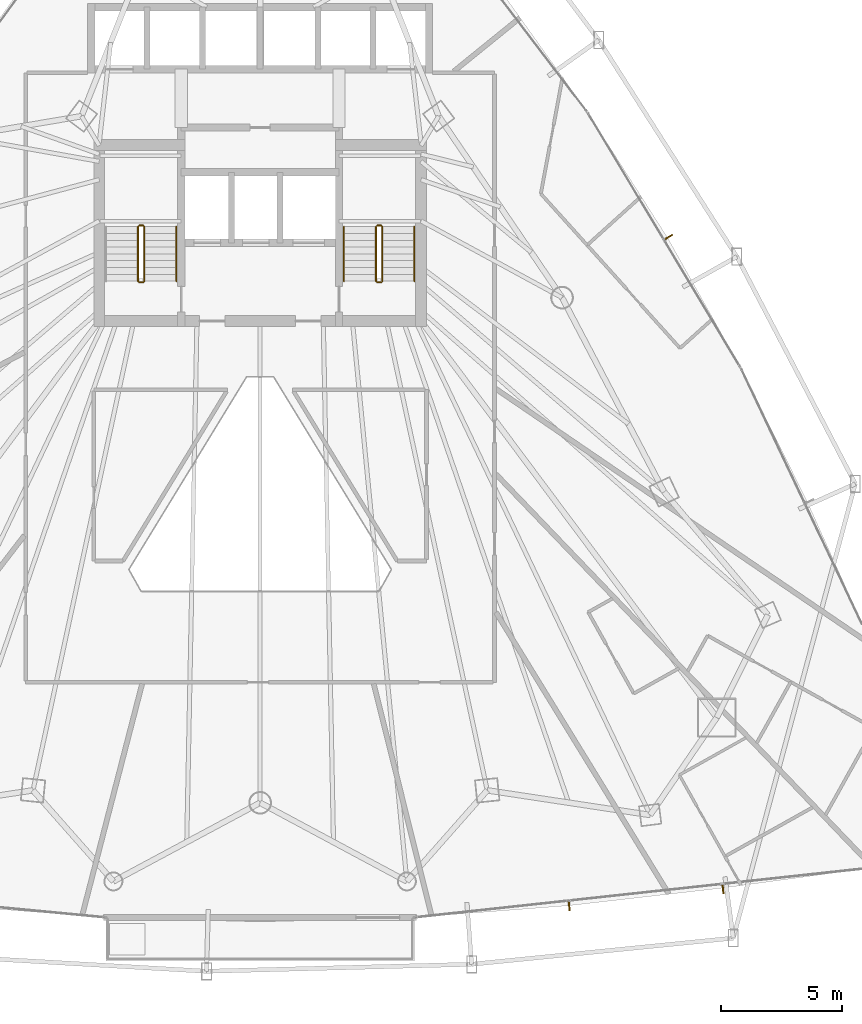
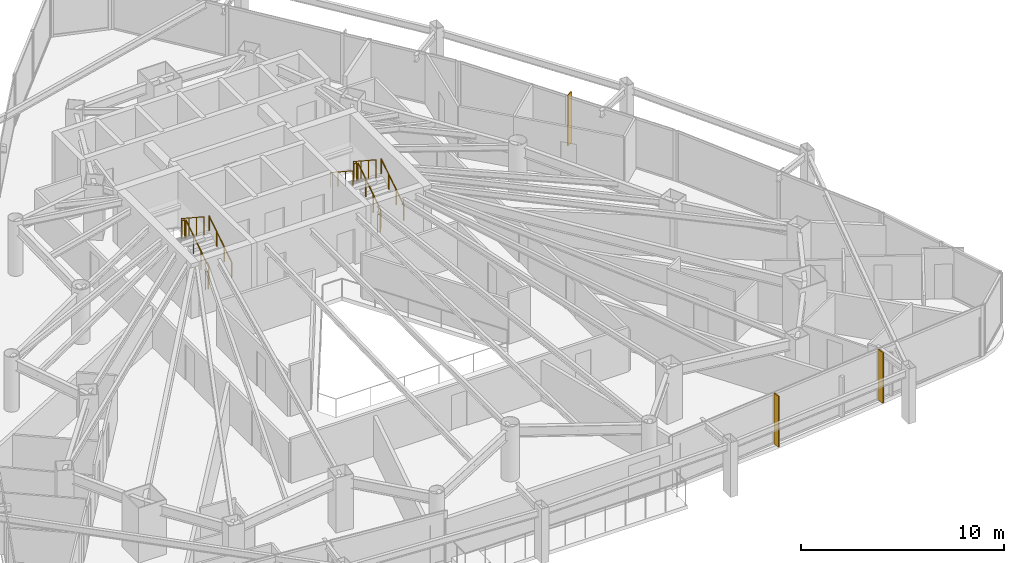
# One storey, part 33 of 34: 11 railings, 3 shading devices.
"""IFC4 building model written with IfcOpenShell, lengths in metres."""

from ifc_helpers import new_model, si_unit, direction, frame, origin, origin_2d, place, context, subcontext, project, spatial, rectangle, circle, extrude, material, layer, layer_set, type_object, element, save


model = new_model("IFC4")

# Units and contexts
model_context = context("Model", 3, precision=1e-05, world=origin(), true_north=direction((0.0, 1.0)))
body_context = subcontext(model_context, "Body", "Model", "MODEL_VIEW")
ifc_project = project(units=[si_unit("LENGTHUNIT", "METRE"), si_unit("AREAUNIT", "SQUARE_METRE"), si_unit("VOLUMEUNIT", "CUBIC_METRE"), si_unit("PLANEANGLEUNIT", "RADIAN"), si_unit("MASSUNIT", "GRAM", prefix="KILO")], contexts=[model_context])

# Site, building, storey
site_placement = place(None, origin())
site = spatial("IfcSite", under=ifc_project, at=site_placement, CompositionType="ELEMENT")
building_placement = place(site_placement, origin())
building = spatial("IfcBuilding", under=site, at=building_placement, Name="Orvanel Arch Residences", CompositionType="ELEMENT")
storey_placement = place(building_placement, frame((0.0, 0.0, 77.449951171875)))
storey = spatial("IfcBuildingStorey", under=building, at=storey_placement, Name="L21", CompositionType="ELEMENT", Elevation=77.449951171875)

# Shading devices
ifc_material_1 = material(Name="Bronze-anodised aluminium AA6063-T6", Category="aluminium")
ifc_layer = layer(ifc_material_1, 0.06005859375)
ifc_layer_set = layer_set([ifc_layer], Name="Bronze-anodised aluminium AA6063-T6")
shading_device_type = type_object("IfcShadingDeviceType", Name="FIN-BRZ-380", PredefinedType="USERDEFINED", material=ifc_layer_set)
for number, where, z_axis, x_axis, name in (
    (1, (45.72509765625, 2.593017578125, 0.0), (0.0, 0.0, 1.0), (0.107999355706, -0.994150963972, 0.0), "L21 Anodised Bronze Mullion FIN 01"),
    (2, (52.05908203125, 3.281982421875, 0.0), (0.0, 0.0, 1.0), (0.107999355706, -0.994150963972, 0.0), "L21 Anodised Bronze Mullion FIN 02"),
    (3, (49.818115234375, 30.133056640625, 0.0), (0.0, 0.0, 1.0), (0.857167300702, 0.51503807491, 0.0), "L21 Anodised Bronze Mullion FIN 01"),
):
    element("IfcShadingDevice", number, at=place(storey_placement, frame(where, z_axis=z_axis, x_axis=x_axis)), inside=storey, type_object=shading_device_type, Name=name, ObjectType="FIN", PredefinedType="USERDEFINED", context=body_context, shape_type="SweptSolid", body=[
        extrude(rectangle(XDim=0.3798828125, YDim=0.06005859375, at=origin_2d()), origin(), (0.0, 0.0, 1.0), 3.06005859375),
    ])

# Railings
ifc_material_2 = material(Name="Structural steel AS/NZS 1163 C350L0 (Grade 350)", Category="steel")
railing_type_1 = type_object("IfcRailingType", Name="RL-STAIR-GUARD", PredefinedType="GUARDRAIL", material=ifc_material_2)
railing_1_placement = place(storey_placement, frame((28.22998046875, 28.320068359375, 0.183349609375)))
element("IfcRailing", 4, at=railing_1_placement, inside=storey, type_object=railing_type_1, Name="L21 ST-1 stair guard 1", PredefinedType="GUARDRAIL", context=body_context, shape_type="SweptSolid", body=[
    extrude(circle(Radius=0.02392578125, at=origin_2d()), frame((0.0, 0.001220703125, 1.076904296875), z_axis=(0.0, 0.836595146698, 0.547821650285), x_axis=(-1.0, 0.0, 0.0)), (0.0, 0.0, 1.0), 2.674560546875),
    extrude(circle(Radius=0.02099609375, at=origin_2d()), origin(), (0.0, 0.0, 1.0), 1.050048828125),
    extrude(circle(Radius=0.02099609375, at=origin_2d()), frame((0.0, 0.74658203125, 0.489013671875)), (0.0, 0.0, 1.0), 1.050048828125),
    extrude(circle(Radius=0.02099609375, at=origin_2d()), frame((0.0, 1.493408203125, 0.977783203125)), (0.0, 0.0, 1.0), 1.050048828125),
    extrude(circle(Radius=0.02099609375, at=origin_2d()), frame((0.0, 2.239990234375, 1.466796875)), (0.0, 0.0, 1.0), 1.050048828125),
])
railing_2_placement = place(storey_placement, frame((28.179931640625, 30.610107421875, 1.650146484375)))
element("IfcRailing", 5, at=railing_2_placement, inside=storey, type_object=railing_type_1, Name="L21 ST-1 stair guard 2", PredefinedType="GUARDRAIL", context=body_context, shape_type="SweptSolid", body=[
    extrude(circle(Radius=0.02392578125, at=origin_2d()), frame((-0.00146484375, 0.0, 1.076171875), z_axis=(-1.0, 0.0, 0.0), x_axis=(0.0, -1.0, 0.0)), (0.0, 0.0, 1.0), 0.156982421875),
    extrude(circle(Radius=0.02099609375, at=origin_2d()), origin(), (0.0, 0.0, 1.0), 1.050048828125),
    extrude(circle(Radius=0.02099609375, at=origin_2d()), frame((-0.159912109375, 0.0, 0.0)), (0.0, 0.0, 1.0), 1.050048828125),
])
railing_3_placement = place(storey_placement, frame((27.969970703125, 30.56005859375, 1.83349609375)))
element("IfcRailing", 6, at=railing_3_placement, inside=storey, type_object=railing_type_1, Name="L21 ST-1 stair guard 3", PredefinedType="GUARDRAIL", context=body_context, shape_type="SweptSolid", body=[
    extrude(circle(Radius=0.02392578125, at=origin_2d()), frame((0.0, -0.001220703125, 1.076904296875), z_axis=(0.0, -0.836636935527, 0.547757827979), x_axis=(1.0, 0.0, 0.0)), (0.0, 0.0, 1.0), 2.67431640625),
    extrude(circle(Radius=0.02099609375, at=origin_2d()), origin(), (0.0, 0.0, 1.0), 1.050048828125),
    extrude(circle(Radius=0.02099609375, at=origin_2d()), frame((0.0, -0.74658203125, 0.48876953125)), (0.0, 0.0, 1.0), 1.050048828125),
    extrude(circle(Radius=0.02099609375, at=origin_2d()), frame((0.0, -1.493408203125, 0.977783203125)), (0.0, 0.0, 1.0), 1.050048828125),
    extrude(circle(Radius=0.02099609375, at=origin_2d()), frame((0.0, -2.239990234375, 1.466552734375)), (0.0, 0.0, 1.0), 1.050048828125),
])
railing_4_placement = place(storey_placement, frame((28.179931640625, 28.27001953125, 0.0)))
element("IfcRailing", 7, at=railing_4_placement, inside=storey, type_object=railing_type_1, Name="L21 ST-1 stair guard 4", PredefinedType="GUARDRAIL", context=body_context, shape_type="SweptSolid", body=[
    extrude(circle(Radius=0.02392578125, at=origin_2d()), frame((-0.00146484375, 0.0, 1.076171875), z_axis=(-1.0, 0.0, 0.0), x_axis=(0.0, -1.0, 0.0)), (0.0, 0.0, 1.0), 0.156982421875),
    extrude(circle(Radius=0.02099609375, at=origin_2d()), origin(), (0.0, 0.0, 1.0), 1.050048828125),
    extrude(circle(Radius=0.02099609375, at=origin_2d()), frame((-0.159912109375, 0.0, 0.0)), (0.0, 0.0, 1.0), 1.050048828125),
])
railing_5_placement = place(storey_placement, frame((38.030029296875, 28.320068359375, 0.183349609375)))
element("IfcRailing", 8, at=railing_5_placement, inside=storey, type_object=railing_type_1, Name="L21 ST-2 stair guard 1", PredefinedType="GUARDRAIL", context=body_context, shape_type="SweptSolid", body=[
    extrude(circle(Radius=0.02392578125, at=origin_2d()), frame((0.0, 0.001220703125, 1.076904296875), z_axis=(0.0, 0.836595146698, 0.547821650285), x_axis=(-1.0, 0.0, 0.0)), (0.0, 0.0, 1.0), 2.674560546875),
    extrude(circle(Radius=0.02099609375, at=origin_2d()), origin(), (0.0, 0.0, 1.0), 1.050048828125),
    extrude(circle(Radius=0.02099609375, at=origin_2d()), frame((0.0, 0.74658203125, 0.489013671875)), (0.0, 0.0, 1.0), 1.050048828125),
    extrude(circle(Radius=0.02099609375, at=origin_2d()), frame((0.0, 1.493408203125, 0.977783203125)), (0.0, 0.0, 1.0), 1.050048828125),
    extrude(circle(Radius=0.02099609375, at=origin_2d()), frame((0.0, 2.239990234375, 1.466796875)), (0.0, 0.0, 1.0), 1.050048828125),
])
railing_6_placement = place(storey_placement, frame((37.97998046875, 30.610107421875, 1.650146484375)))
element("IfcRailing", 9, at=railing_6_placement, inside=storey, type_object=railing_type_1, Name="L21 ST-2 stair guard 2", PredefinedType="GUARDRAIL", context=body_context, shape_type="SweptSolid", body=[
    extrude(circle(Radius=0.02392578125, at=origin_2d()), frame((-0.00146484375, 0.0, 1.076171875), z_axis=(-1.0, 0.0, 0.0), x_axis=(0.0, -1.0, 0.0)), (0.0, 0.0, 1.0), 0.156982421875),
    extrude(circle(Radius=0.02099609375, at=origin_2d()), origin(), (0.0, 0.0, 1.0), 1.050048828125),
    extrude(circle(Radius=0.02099609375, at=origin_2d()), frame((-0.159912109375, 0.0, 0.0)), (0.0, 0.0, 1.0), 1.050048828125),
])
railing_7_placement = place(storey_placement, frame((37.77001953125, 30.56005859375, 1.83349609375)))
element("IfcRailing", 10, at=railing_7_placement, inside=storey, type_object=railing_type_1, Name="L21 ST-2 stair guard 3", PredefinedType="GUARDRAIL", context=body_context, shape_type="SweptSolid", body=[
    extrude(circle(Radius=0.02392578125, at=origin_2d()), frame((0.0, -0.001220703125, 1.076904296875), z_axis=(0.0, -0.836636935527, 0.547757827979), x_axis=(1.0, 0.0, 0.0)), (0.0, 0.0, 1.0), 2.67431640625),
    extrude(circle(Radius=0.02099609375, at=origin_2d()), origin(), (0.0, 0.0, 1.0), 1.050048828125),
    extrude(circle(Radius=0.02099609375, at=origin_2d()), frame((0.0, -0.74658203125, 0.48876953125)), (0.0, 0.0, 1.0), 1.050048828125),
    extrude(circle(Radius=0.02099609375, at=origin_2d()), frame((0.0, -1.493408203125, 0.977783203125)), (0.0, 0.0, 1.0), 1.050048828125),
    extrude(circle(Radius=0.02099609375, at=origin_2d()), frame((0.0, -2.239990234375, 1.466552734375)), (0.0, 0.0, 1.0), 1.050048828125),
])
railing_8_placement = place(storey_placement, frame((37.97998046875, 28.27001953125, 0.0)))
element("IfcRailing", 11, at=railing_8_placement, inside=storey, type_object=railing_type_1, Name="L21 ST-2 stair guard 4", PredefinedType="GUARDRAIL", context=body_context, shape_type="SweptSolid", body=[
    extrude(circle(Radius=0.02392578125, at=origin_2d()), frame((-0.00146484375, 0.0, 1.076171875), z_axis=(-1.0, 0.0, 0.0), x_axis=(0.0, -1.0, 0.0)), (0.0, 0.0, 1.0), 0.156982421875),
    extrude(circle(Radius=0.02099609375, at=origin_2d()), origin(), (0.0, 0.0, 1.0), 1.050048828125),
    extrude(circle(Radius=0.02099609375, at=origin_2d()), frame((-0.159912109375, 0.0, 0.0)), (0.0, 0.0, 1.0), 1.050048828125),
])
railing_type_2 = type_object("IfcRailingType", Name="RL-STAIR-HAND", PredefinedType="HANDRAIL", material=ifc_material_2)
for number, where, name in (
    (12, (29.550048828125, 28.320068359375, 0.183349609375), "L21 ST-1 stair handrail 1"),
    (13, (39.35009765625, 28.320068359375, 0.183349609375), "L21 ST-2 stair handrail 1"),
):
    element("IfcRailing", number, at=place(storey_placement, frame(where)), inside=storey, type_object=railing_type_2, Name=name, PredefinedType="HANDRAIL", context=body_context, shape_type="SweptSolid", body=[
        extrude(circle(Radius=0.02392578125, at=origin_2d()), frame((0.0, 0.001220703125, 0.876708984375), z_axis=(0.0, 0.836595146698, 0.547821650285), x_axis=(-1.0, 0.0, 0.0)), (0.0, 0.0, 1.0), 2.674560546875),
        extrude(circle(Radius=0.02099609375, at=origin_2d()), origin(), (0.0, 0.0, 1.0), 0.849853515625),
        extrude(circle(Radius=0.02099609375, at=origin_2d()), frame((0.0, 0.74658203125, 0.489013671875)), (0.0, 0.0, 1.0), 0.849853515625),
        extrude(circle(Radius=0.02099609375, at=origin_2d()), frame((0.0, 1.493408203125, 0.977783203125)), (0.0, 0.0, 1.0), 0.849853515625),
        extrude(circle(Radius=0.02099609375, at=origin_2d()), frame((0.0, 2.239990234375, 1.466796875)), (0.0, 0.0, 1.0), 0.849853515625),
    ])
railing_9_placement = place(storey_placement, frame((36.449951171875, 30.56005859375, 1.83349609375)))
element("IfcRailing", 14, at=railing_9_placement, inside=storey, type_object=railing_type_2, Name="L21 ST-2 stair handrail 2", PredefinedType="HANDRAIL", context=body_context, shape_type="SweptSolid", body=[
    extrude(circle(Radius=0.02392578125, at=origin_2d()), frame((0.0, -0.001220703125, 0.876708984375), z_axis=(0.0, -0.836636935527, 0.547757827979), x_axis=(1.0, 0.0, 0.0)), (0.0, 0.0, 1.0), 2.67431640625),
    extrude(circle(Radius=0.02099609375, at=origin_2d()), origin(), (0.0, 0.0, 1.0), 0.849853515625),
    extrude(circle(Radius=0.02099609375, at=origin_2d()), frame((0.0, -0.74658203125, 0.48876953125)), (0.0, 0.0, 1.0), 0.849853515625),
    extrude(circle(Radius=0.02099609375, at=origin_2d()), frame((0.0, -1.493408203125, 0.977783203125)), (0.0, 0.0, 1.0), 0.849853515625),
    extrude(circle(Radius=0.02099609375, at=origin_2d()), frame((0.0, -2.239990234375, 1.466552734375)), (0.0, 0.0, 1.0), 0.849853515625),
])

save(model, "model.ifc")
